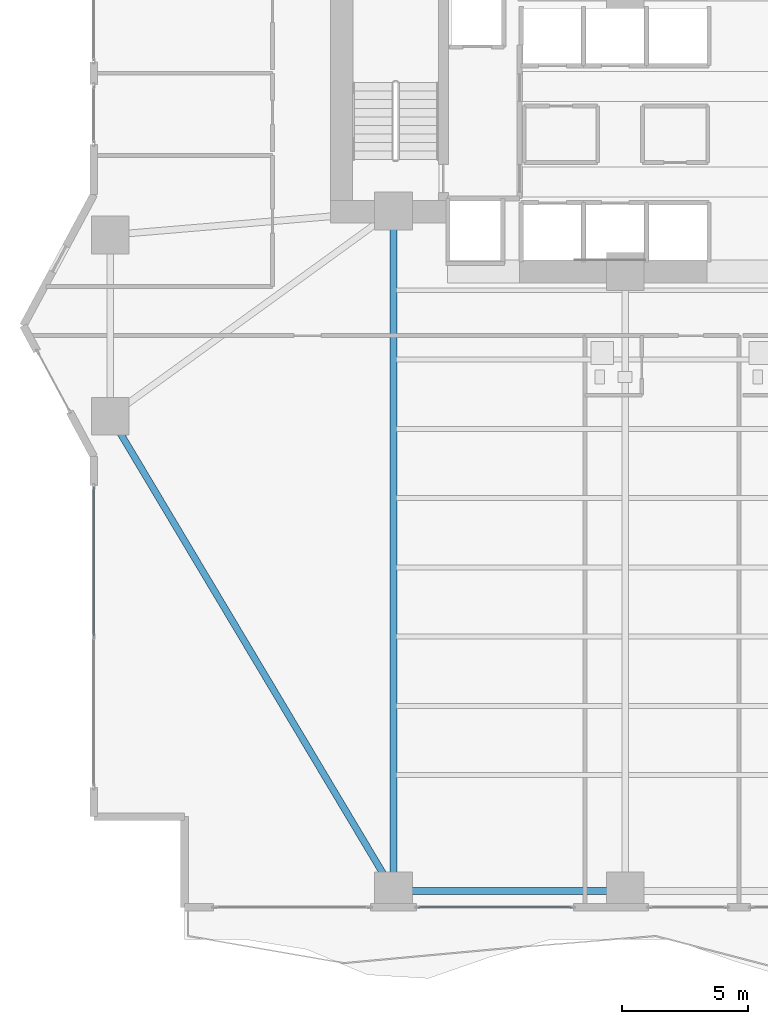
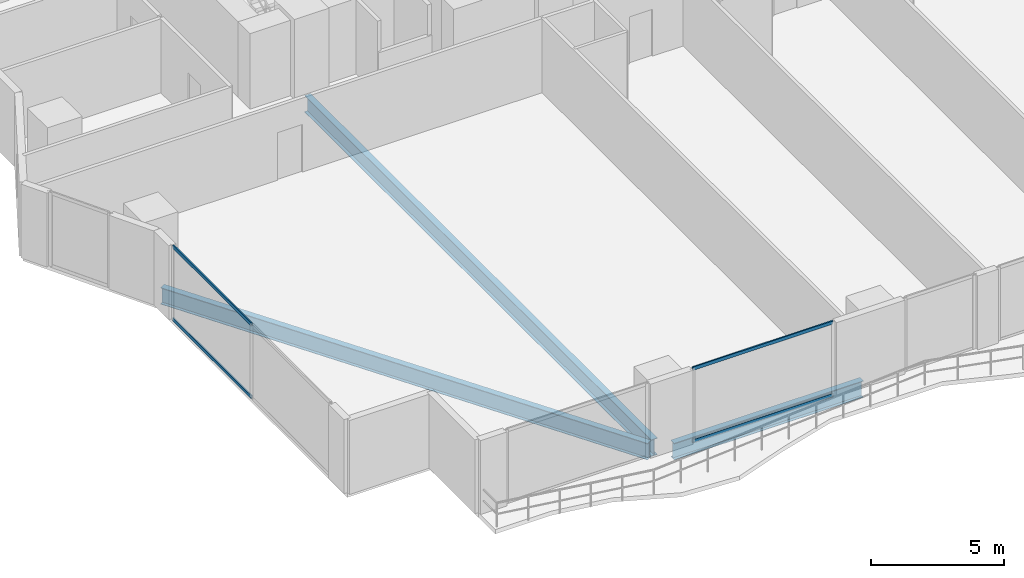
# One storey, part 3 of 30: 4 members, 3 beams, 2 elements without a shape of their own.
"""IFC4 building model written with IfcOpenShell, lengths in metres."""

from ifc_helpers import new_model, si_unit, direction, frame, origin, origin_2d, place, context, subcontext, project, spatial, hollow_rectangle, i_section, extrude, material, layer, layer_set, material_profile, profile_set, type_object, element, aggregate, save


model = new_model("IFC4")

# Units and contexts
model_context = context("Model", 3, precision=1e-05, world=origin(), true_north=direction((0.0, 1.0)))
body_context = subcontext(model_context, "Body", "Model", "MODEL_VIEW")
ifc_project = project(units=[si_unit("LENGTHUNIT", "METRE"), si_unit("AREAUNIT", "SQUARE_METRE"), si_unit("VOLUMEUNIT", "CUBIC_METRE"), si_unit("PLANEANGLEUNIT", "RADIAN"), si_unit("MASSUNIT", "GRAM", prefix="KILO")], contexts=[model_context])

# Site, building, storey
site_placement = place(None, origin())
site = spatial("IfcSite", under=ifc_project, at=site_placement, CompositionType="ELEMENT")
building_placement = place(site_placement, origin())
building = spatial("IfcBuilding", under=site, at=building_placement, Name="Zuhayl Quay Hotel", CompositionType="ELEMENT")
storey_placement = place(building_placement, frame((0.0, 0.0, 86.0)))
storey = spatial("IfcBuildingStorey", under=building, at=storey_placement, Name="L21", CompositionType="ELEMENT", Elevation=86.0)

# Beams
ifc_material_1 = material(Name="Steel ASTM A992 Grade 50", Category="steel")
ifc_material_profile_1 = material_profile(ifc_material_1, i_section(OverallWidth=0.26708984375, OverallDepth=0.761962890625, WebThickness=0.014404296875, FlangeThickness=0.021484375, at=origin_2d()), Name="W30X116")
ifc_profile_set_1 = profile_set([ifc_material_profile_1], Name="Steel ASTM A992 Grade 50")
beam_type = type_object("IfcBeamType", Name="BM_B1_W30X116", PredefinedType="BEAM", material=ifc_profile_set_1)
beam_1_placement = place(storey_placement, frame((-13.300048828125, -22.449951171875, -0.60107421875), z_axis=(1.0, 0.0, 0.0), x_axis=(0.0, 1.0, 0.0)))
element("IfcBeam", 1, at=beam_1_placement, inside=storey, type_object=beam_type, Name="L21 Floor Beam RG_L21_01", PredefinedType="BEAM", context=body_context, shape_type="SweptSolid", body=[
    extrude(i_section(OverallWidth=0.26708984375, OverallDepth=0.761962890625, WebThickness=0.014404296875, FlangeThickness=0.021484375, at=origin_2d()), origin(), (0.0, 0.0, 1.0), 8.199951171875),
])
beam_2_placement = place(storey_placement, frame((-24.793701171875, -4.029296875, -0.60107421875), z_axis=(0.512482593247, -0.85869761361, 0.0), x_axis=(0.85869761361, 0.512482593247, 0.0)))
element("IfcBeam", 2, at=beam_2_placement, inside=storey, type_object=beam_type, Name="L21 Floor Beam RG_L21_12", PredefinedType="BEAM", context=body_context, shape_type="SweptSolid", body=[
    extrude(i_section(OverallWidth=0.26708984375, OverallDepth=0.761962890625, WebThickness=0.014404296875, FlangeThickness=0.021484375, at=origin_2d()), origin(), (0.0, 0.0, 1.0), 20.9521484375),
])
beam_3_placement = place(storey_placement, frame((-13.800048828125, -21.949951171875, -0.60107421875), z_axis=(0.0, 1.0, 0.0), x_axis=(-1.0, 0.0, 0.0)))
element("IfcBeam", 3, at=beam_3_placement, inside=storey, type_object=beam_type, Name="L21 Floor Beam FG_S_L21_1", PredefinedType="BEAM", context=body_context, shape_type="SweptSolid", body=[
    extrude(i_section(OverallWidth=0.26708984375, OverallDepth=0.761962890625, WebThickness=0.014404296875, FlangeThickness=0.021484375, at=origin_2d()), origin(), (0.0, 0.0, 1.0), 26.050048828125),
])

# Curtain wall, members
ifc_material_2 = material(Name="Anodised Aluminium 6063-T6", Category="aluminium")
ifc_layer = layer(ifc_material_2, 0.18994140625, Name="Anodised Aluminium 6063-T6", Category="aluminium")
ifc_layer_set = layer_set([ifc_layer], Name="Anodised Aluminium 6063-T6")
curtain_wall_type = type_object("IfcCurtainWallType", Name="CW_SYS_Z1", PredefinedType="USERDEFINED", material=ifc_layer_set)
curtain_wall_1_placement = place(storey_placement, origin())
curtain_wall_1 = element("IfcCurtainWall", 4, at=curtain_wall_1_placement, inside=storey, type_object=curtain_wall_type, Name="L21 Curtain Wall ENV_L21_E02_CW1", ObjectType="UNITISED CURTAIN WALL", PredefinedType="USERDEFINED")
ifc_material_3 = material(Name="Black-anodised aluminium 6063-T6", Category="aluminium")
ifc_material_profile_2 = material_profile(ifc_material_3, hollow_rectangle(XDim=0.06005859375, YDim=0.14990234375, WallThickness=0.00341796875, at=origin_2d()), Name="ALU150X60")
ifc_profile_set_2 = profile_set([ifc_material_profile_2], Name="Black-anodised aluminium 6063-T6")
member_type = type_object("IfcMemberType", Name="MB_CW_TRN_150", PredefinedType="USERDEFINED", material=ifc_profile_set_2)
member_1_placement = place(storey_placement, frame((-25.699951171875, -12.3125, 0.030029296875), z_axis=(0.0, 1.0, 0.0), x_axis=(-1.0, 0.0, 0.0)))
member_1 = element("IfcMember", 5, at=member_1_placement, type_object=member_type, Name="CW-Z1 transom 2.1", ObjectType="TRANSOM", PredefinedType="USERDEFINED", context=body_context, shape_type="SweptSolid", body=[
    extrude(hollow_rectangle(XDim=0.06005859375, YDim=0.14990234375, WallThickness=0.00341796875, at=origin_2d()), origin(), (0.0, 0.0, 1.0), 5.887451171875),
])
member_2_placement = place(storey_placement, frame((-25.699951171875, -12.3125, 3.360107421875), z_axis=(0.0, 1.0, 0.0), x_axis=(-1.0, 0.0, 0.0)))
member_2 = element("IfcMember", 6, at=member_2_placement, type_object=member_type, Name="CW-Z1 transom 2.2", ObjectType="TRANSOM", PredefinedType="USERDEFINED", context=body_context, shape_type="SweptSolid", body=[
    extrude(hollow_rectangle(XDim=0.06005859375, YDim=0.14990234375, WallThickness=0.00341796875, at=origin_2d()), origin(), (0.0, 0.0, 1.0), 5.887451171875),
])
aggregate(curtain_wall_1, [member_1, member_2])

curtain_wall_2_placement = place(storey_placement, origin())
curtain_wall_2 = element("IfcCurtainWall", 7, at=curtain_wall_2_placement, inside=storey, type_object=curtain_wall_type, Name="L21 Curtain Wall ENV_L21_S_CW5", ObjectType="UNITISED CURTAIN WALL", PredefinedType="USERDEFINED")
member_3_placement = place(storey_placement, frame((-6.72509765625, -23.10009765625, 0.030029296875), z_axis=(-1.0, 0.0, 0.0), x_axis=(0.0, -1.0, 0.0)))
member_3 = element("IfcMember", 8, at=member_3_placement, type_object=member_type, Name="CW-Z1 transom 1.1", ObjectType="TRANSOM", PredefinedType="USERDEFINED", context=body_context, shape_type="SweptSolid", body=[
    extrude(hollow_rectangle(XDim=0.06005859375, YDim=0.14990234375, WallThickness=0.00341796875, at=origin_2d()), origin(), (0.0, 0.0, 1.0), 6.079833984375),
])
member_4_placement = place(storey_placement, frame((-6.72509765625, -23.10009765625, 3.360107421875), z_axis=(-1.0, 0.0, 0.0), x_axis=(0.0, -1.0, 0.0)))
member_4 = element("IfcMember", 9, at=member_4_placement, type_object=member_type, Name="CW-Z1 transom 1.2", ObjectType="TRANSOM", PredefinedType="USERDEFINED", context=body_context, shape_type="SweptSolid", body=[
    extrude(hollow_rectangle(XDim=0.06005859375, YDim=0.14990234375, WallThickness=0.00341796875, at=origin_2d()), origin(), (0.0, 0.0, 1.0), 6.079833984375),
])
aggregate(curtain_wall_2, [member_3, member_4])

save(model, "model.ifc")
